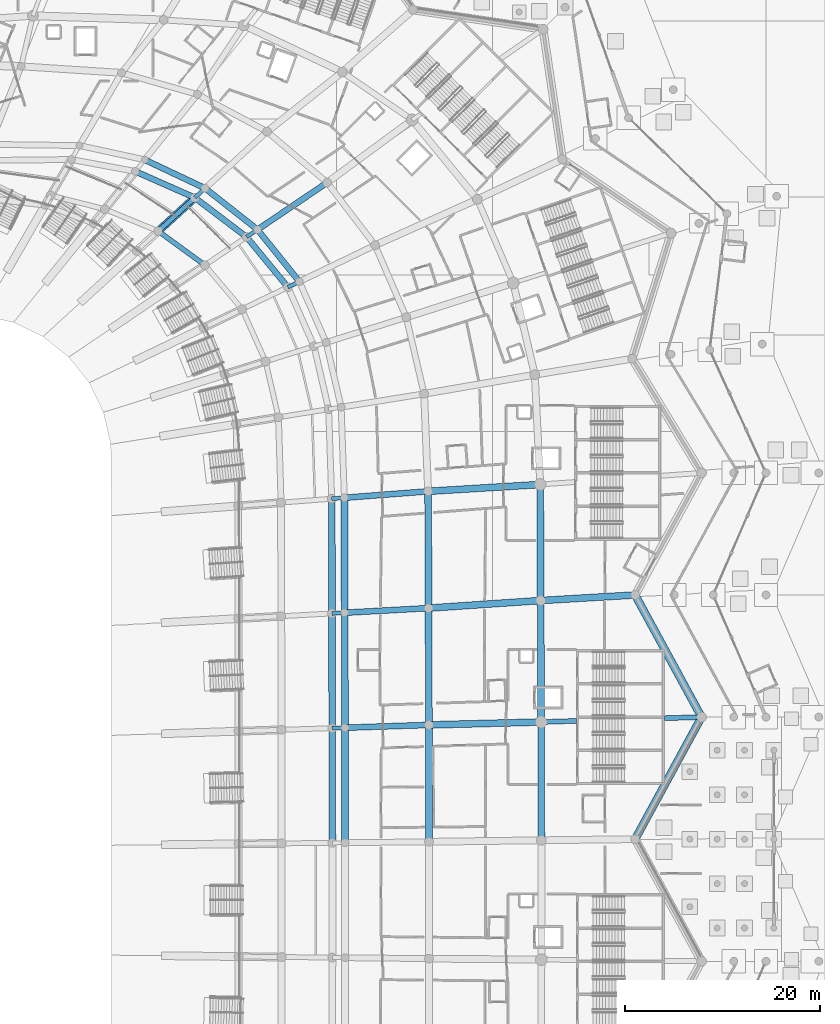
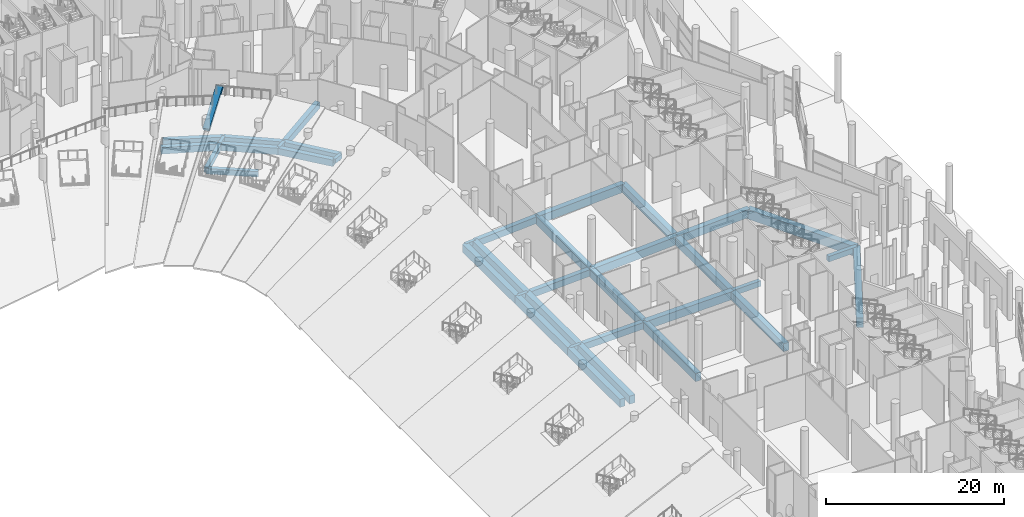
# One storey, part 57 of 255: 39 beams.
"""IFC4 building model written with IfcOpenShell, lengths in metres."""

from ifc_helpers import new_model, si_unit, direction, frame, origin, origin_2d, place, context, subcontext, project, spatial, rectangle, extrude, material, material_profile, profile_set, type_object, element, save


model = new_model("IFC4")

# Units and contexts
model_context = context("Model", 3, precision=1e-05, world=origin(), true_north=direction((0.0, 1.0)))
body_context = subcontext(model_context, "Body", "Model", "MODEL_VIEW")
ifc_project = project(units=[si_unit("LENGTHUNIT", "METRE"), si_unit("AREAUNIT", "SQUARE_METRE"), si_unit("VOLUMEUNIT", "CUBIC_METRE"), si_unit("PLANEANGLEUNIT", "RADIAN"), si_unit("MASSUNIT", "GRAM", prefix="KILO")], contexts=[model_context])

# Site, building, storey
site_placement = place(None, origin())
site = spatial("IfcSite", under=ifc_project, at=site_placement, CompositionType="ELEMENT")
building_placement = place(site_placement, origin())
building = spatial("IfcBuilding", under=site, at=building_placement, Name="Meseta Stadium", CompositionType="ELEMENT")
storey_placement = place(building_placement, origin())
storey = spatial("IfcBuildingStorey", under=building, at=storey_placement, Name="L00", CompositionType="ELEMENT", Elevation=0.0)

# Beams
ifc_material_1 = material(Name="Concrete C40/50", Category="concrete")
ifc_material_profile_1 = material_profile(ifc_material_1, rectangle(XDim=0.39990234375, YDim=0.60009765625, at=origin_2d()), Name="RC 400x600")
ifc_profile_set_1 = profile_set([ifc_material_profile_1], Name="Concrete C40/50")
beam_type_1 = type_object("IfcBeamType", Name="RC beam 400x600", PredefinedType="BEAM", material=ifc_profile_set_1)
for number, where, z_axis, x_axis, name in (
    (1, (63.587890625, 17.617919921875, -0.699951171875), (0.99945362659, 0.033052205614, 0.0), (-0.033052205614, 0.99945362659, 0.0), "L00 radial beam frame 6 line C to D"),
    (2, (63.566162109375, 29.3623046875, -0.699951171875), (0.998505663725, 0.054648325775, 0.0), (-0.054648325775, 0.998505663725, 0.0), "L00 radial beam frame 7 line C to D"),
    (3, (63.53369140625, 41.1044921875, -0.699951171875), (0.99706000661, 0.076624690657, 0.0), (-0.076624690657, 0.99706000661, 0.0), "L00 radial beam frame 8 line C to D"),
):
    element("IfcBeam", number, at=place(storey_placement, frame(where, z_axis=z_axis, x_axis=x_axis)), inside=storey, type_object=beam_type_1, Name=name, PredefinedType="BEAM", context=body_context, shape_type="SweptSolid", body=[
        extrude(rectangle(XDim=0.39990234375, YDim=0.60009765625, at=origin_2d()), origin(), (0.0, 0.0, 1.0), 1.300048828125),
    ])
beam_1_placement = place(storey_placement, frame((59.049072265625, 62.766357421875, -0.699951171875), z_axis=(0.901186215953, 0.433432121762, 0.0), x_axis=(-0.433432121762, 0.901186215953, 0.0)))
element("IfcBeam", 4, at=beam_1_placement, inside=storey, type_object=beam_type_1, Name="L00 radial beam frame 11 line C to D", PredefinedType="BEAM", context=body_context, shape_type="SweptSolid", body=[
    extrude(rectangle(XDim=0.39990234375, YDim=0.60009765625, at=origin_2d()), origin(), (0.0, 0.0, 1.0), 1.3017578125),
])
beam_2_placement = place(storey_placement, frame((54.819580078125, 67.901611328125, -0.699951171875), z_axis=(0.828785870945, 0.559565885416, 0.0), x_axis=(-0.559565885416, 0.828785870945, 0.0)))
element("IfcBeam", 5, at=beam_2_placement, inside=storey, type_object=beam_type_1, Name="L00 radial beam frame 12 line C to D", PredefinedType="BEAM", context=body_context, shape_type="SweptSolid", body=[
    extrude(rectangle(XDim=0.39990234375, YDim=0.60009765625, at=origin_2d()), origin(), (0.0, 0.0, 1.0), 1.35205078125),
])
beam_3_placement = place(storey_placement, frame((49.518310546875, 71.924560546875, -0.699951171875), z_axis=(0.737537238319, 0.675306465313, 0.0), x_axis=(-0.675306465313, 0.737537238319, 0.0)))
element("IfcBeam", 6, at=beam_3_placement, inside=storey, type_object=beam_type_1, Name="L00 radial beam frame 13 line C to D", PredefinedType="BEAM", context=body_context, shape_type="SweptSolid", body=[
    extrude(rectangle(XDim=0.39990234375, YDim=0.60009765625, at=origin_2d()), origin(), (0.0, 0.0, 1.0), 1.427978515625),
])
ifc_material_2 = material(Name="Concrete C40/50", Category="concrete")
ifc_material_profile_2 = material_profile(ifc_material_2, rectangle(XDim=0.5, YDim=0.75, at=origin_2d()), Name="RC 500x750")
ifc_profile_set_2 = profile_set([ifc_material_profile_2], Name="Concrete C40/50")
beam_type_2 = type_object("IfcBeamType", Name="RC beam 500x750", PredefinedType="BEAM", material=ifc_profile_set_2)
beam_4_placement = place(storey_placement, frame((50.552978515625, 65.021240234375, -0.77490234375), z_axis=(-0.808321333324, 0.58874155798, 0.0), x_axis=(-0.58874155798, -0.808321333324, 0.0)))
element("IfcBeam", 7, at=beam_4_placement, inside=storey, type_object=beam_type_2, Name="L00 ring beam frame 12 line U", PredefinedType="BEAM", context=body_context, shape_type="SweptSolid", body=[
    extrude(rectangle(XDim=0.5, YDim=0.75, at=origin_2d()), origin(), (0.0, 0.0, 1.0), 5.908447265625),
])
beam_5_placement = place(storey_placement, frame((84.978515625, 18.24365234375, -0.77490234375), z_axis=(0.999525783299, 0.030792994672, 0.0), x_axis=(-0.030792994672, 0.999525783299, 0.0)))
element("IfcBeam", 8, at=beam_5_placement, inside=storey, type_object=beam_type_2, Name="L00 radial beam frame 6 line P to R", PredefinedType="BEAM", context=body_context, shape_type="SweptSolid", body=[
    extrude(rectangle(XDim=0.5, YDim=0.75, at=origin_2d()), origin(), (0.0, 0.0, 1.0), 3.623291015625),
])
beam_6_placement = place(storey_placement, frame((97.60009765625, 18.6328125, -0.77490234375), z_axis=(0.99952477381, 0.030825744759, 0.0), x_axis=(-0.030825744759, 0.99952477381, 0.0)))
element("IfcBeam", 9, at=beam_6_placement, inside=storey, type_object=beam_type_2, Name="L00 radial beam frame 6 line P to R", PredefinedType="BEAM", context=body_context, shape_type="SweptSolid", body=[
    extrude(rectangle(XDim=0.5, YDim=0.75, at=origin_2d()), origin(), (0.0, 0.0, 1.0), 3.801513671875),
])
beam_7_placement = place(storey_placement, frame((45.777099609375, 68.499755859375, -0.77490234375), z_axis=(0.737609522661, 0.675227511347, 0.0), x_axis=(-0.675227511347, 0.737609522661, 0.0)))
element("IfcBeam", 10, at=beam_7_placement, inside=storey, type_object=beam_type_2, Name="L00 radial beam frame 13 line U to C", PredefinedType="BEAM", context=body_context, shape_type="SweptSolid", body=[
    extrude(rectangle(XDim=0.5, YDim=0.75, at=origin_2d()), origin(), (0.0, 0.0, 1.0), 5.072021484375),
])
ifc_material_3 = material(Name="Concrete C40/50", Category="concrete")
ifc_material_profile_3 = material_profile(ifc_material_3, rectangle(XDim=0.60009765625, YDim=0.89990234375, at=origin_2d()), Name="RC 600x900")
ifc_profile_set_3 = profile_set([ifc_material_profile_3], Name="Concrete C40/50")
beam_type_3 = type_object("IfcBeamType", Name="RC beam 600x900", PredefinedType="BEAM", material=ifc_profile_set_3)
beam_8_placement = place(storey_placement, frame((59.049072265625, 62.766357421875, -0.85009765625), z_axis=(-0.635748413749, 0.771896336573, 0.0), x_axis=(-0.771896336573, -0.635748413749, 0.0)))
element("IfcBeam", 11, at=beam_8_placement, inside=storey, type_object=beam_type_3, Name="L00 ring beam frame 11 line C", PredefinedType="BEAM", context=body_context, shape_type="SweptSolid", body=[
    extrude(rectangle(XDim=0.60009765625, YDim=0.89990234375, at=origin_2d()), origin(), (0.0, 0.0, 1.0), 6.65283203125),
])
beam_9_placement = place(storey_placement, frame((60.22216796875, 63.33056640625, -0.85009765625), z_axis=(-0.626466293445, 0.779448512204, 0.0), x_axis=(-0.779448512204, -0.626466293445, 0.0)))
element("IfcBeam", 12, at=beam_9_placement, inside=storey, type_object=beam_type_3, Name="L00 ring beam frame 11 line D", PredefinedType="BEAM", context=body_context, shape_type="SweptSolid", body=[
    extrude(rectangle(XDim=0.60009765625, YDim=0.89990234375, at=origin_2d()), origin(), (0.0, 0.0, 1.0), 6.835205078125),
])
beam_10_placement = place(storey_placement, frame((54.819580078125, 67.901611328125, -0.85009765625), z_axis=(-0.796597456173, 0.604510126316, 0.0), x_axis=(-0.604510126316, -0.796597456173, 0.0)))
element("IfcBeam", 13, at=beam_10_placement, inside=storey, type_object=beam_type_3, Name="L00 ring beam frame 12 line C", PredefinedType="BEAM", context=body_context, shape_type="SweptSolid", body=[
    extrude(rectangle(XDim=0.60009765625, YDim=0.89990234375, at=origin_2d()), origin(), (0.0, 0.0, 1.0), 6.65478515625),
])
beam_11_placement = place(storey_placement, frame((55.940185546875, 68.658203125, -0.85009765625), z_axis=(-0.785430108596, 0.618950357065, 0.0), x_axis=(-0.618950357065, -0.785430108596, 0.0)))
element("IfcBeam", 14, at=beam_11_placement, inside=storey, type_object=beam_type_3, Name="L00 ring beam frame 12 line D", PredefinedType="BEAM", context=body_context, shape_type="SweptSolid", body=[
    extrude(rectangle(XDim=0.60009765625, YDim=0.89990234375, at=origin_2d()), origin(), (0.0, 0.0, 1.0), 6.835205078125),
])
beam_12_placement = place(storey_placement, frame((49.518310546875, 71.924560546875, -0.85009765625), z_axis=(-0.914526988421, 0.404524891013, 0.0), x_axis=(-0.404524891013, -0.914526988421, 0.0)))
element("IfcBeam", 15, at=beam_12_placement, inside=storey, type_object=beam_type_3, Name="L00 ring beam frame 13 line C", PredefinedType="BEAM", context=body_context, shape_type="SweptSolid", body=[
    extrude(rectangle(XDim=0.60009765625, YDim=0.89990234375, at=origin_2d()), origin(), (0.0, 0.0, 1.0), 6.656982421875),
])
beam_13_placement = place(storey_placement, frame((50.571533203125, 72.888916015625, -0.85009765625), z_axis=(-0.904340564666, 0.426811601412, 0.0), x_axis=(-0.426811601412, -0.904340564666, 0.0)))
element("IfcBeam", 16, at=beam_13_placement, inside=storey, type_object=beam_type_3, Name="L00 ring beam frame 13 line D", PredefinedType="BEAM", context=body_context, shape_type="SweptSolid", body=[
    extrude(rectangle(XDim=0.60009765625, YDim=0.89990234375, at=origin_2d()), origin(), (0.0, 0.0, 1.0), 6.83544921875),
])
beam_14_placement = place(storey_placement, frame((64.88720703125, 17.660888671875, -0.85009765625), z_axis=(0.999459492737, 0.032874342231, 0.0), x_axis=(-0.032874342231, 0.999459492737, 0.0)))
element("IfcBeam", 17, at=beam_14_placement, inside=storey, type_object=beam_type_3, Name="L00 radial beam frame 6 line D to E", PredefinedType="BEAM", context=body_context, shape_type="SweptSolid", body=[
    extrude(rectangle(XDim=0.60009765625, YDim=0.89990234375, at=origin_2d()), origin(), (0.0, 0.0, 1.0), 8.599853515625),
])
for number, where, z_axis, x_axis, name in (
    (18, (64.8642578125, 29.433349609375, -0.85009765625), (0.998501047384, 0.054732607948, 0.0), (-0.054732607948, 0.998501047384, 0.0), "L00 radial beam frame 7 line D to E"),
    (19, (64.829833984375, 41.2041015625, -0.85009765625), (0.997066996267, 0.076533685105, 0.0), (-0.076533685105, 0.997066996267, 0.0), "L00 radial beam frame 8 line D to E"),
    (20, (55.940185546875, 68.658203125, -0.85009765625), (0.828826294275, 0.559506008832, 0.0), (-0.559506008832, 0.828826294275, 0.0), "L00 radial beam frame 12 line D to E"),
):
    element("IfcBeam", number, at=place(storey_placement, frame(where, z_axis=z_axis, x_axis=x_axis)), inside=storey, type_object=beam_type_3, Name=name, PredefinedType="BEAM", context=body_context, shape_type="SweptSolid", body=[
        extrude(rectangle(XDim=0.60009765625, YDim=0.89990234375, at=origin_2d()), origin(), (0.0, 0.0, 1.0), 8.60009765625),
    ])
ifc_material_4 = material(Name="Concrete C40/50", Category="concrete")
ifc_material_profile_4 = material_profile(ifc_material_4, rectangle(XDim=0.699951171875, YDim=1.10009765625, at=origin_2d()), Name="RC 700x1100")
ifc_profile_set_4 = profile_set([ifc_material_profile_4], Name="Concrete C40/50")
beam_type_4 = type_object("IfcBeamType", Name="RC beam 700x1100", PredefinedType="BEAM", material=ifc_profile_set_4)
beam_15_placement = place(storey_placement, frame((63.5986328125, 5.872802734375, -0.949951171875), z_axis=(-0.000914608414, 0.999999581746, 0.0), x_axis=(-0.999999581746, -0.000914608414, 0.0)))
element("IfcBeam", 21, at=beam_15_placement, inside=storey, type_object=beam_type_4, Name="L00 ring beam frame 5 line C", PredefinedType="BEAM", context=body_context, shape_type="SweptSolid", body=[
    extrude(rectangle(XDim=0.699951171875, YDim=1.10009765625, at=origin_2d()), origin(), (0.0, 0.0, 1.0), 11.7451171875),
])
beam_16_placement = place(storey_placement, frame((64.898681640625, 5.886962890625, -0.949951171875), z_axis=(-0.000974577566, 0.999999525099, 0.0), x_axis=(-0.999999525099, -0.000974577566, 0.0)))
element("IfcBeam", 22, at=beam_16_placement, inside=storey, type_object=beam_type_4, Name="L00 ring beam frame 5 line D", PredefinedType="BEAM", context=body_context, shape_type="SweptSolid", body=[
    extrude(rectangle(XDim=0.699951171875, YDim=1.10009765625, at=origin_2d()), origin(), (0.0, 0.0, 1.0), 11.77392578125),
])
beam_17_placement = place(storey_placement, frame((73.498046875, 5.981201171875, -0.949951171875), z_axis=(-0.001306174648, 0.999999146954, 0.0), x_axis=(-0.999999146954, -0.001306174648, 0.0)))
element("IfcBeam", 23, at=beam_17_placement, inside=storey, type_object=beam_type_4, Name="L00 ring beam frame 5 line E", PredefinedType="BEAM", context=body_context, shape_type="SweptSolid", body=[
    extrude(rectangle(XDim=0.699951171875, YDim=1.10009765625, at=origin_2d()), origin(), (0.0, 0.0, 1.0), 11.96240234375),
])
beam_18_placement = place(storey_placement, frame((84.9970703125, 6.13720703125, -0.949951171875), z_axis=(-0.001532627062, 0.999998825526, 0.0), x_axis=(-0.999998825526, -0.001532627062, 0.0)))
element("IfcBeam", 24, at=beam_18_placement, inside=storey, type_object=beam_type_4, Name="L00 ring beam frame 5 line P", PredefinedType="BEAM", context=body_context, shape_type="SweptSolid", body=[
    extrude(rectangle(XDim=0.699951171875, YDim=1.10009765625, at=origin_2d()), origin(), (0.0, 0.0, 1.0), 12.1064453125),
])
beam_19_placement = place(storey_placement, frame((63.587890625, 17.617919921875, -0.949951171875), z_axis=(-0.001850116364, 0.999998288533, 0.0), x_axis=(-0.999998288533, -0.001850116364, 0.0)))
element("IfcBeam", 25, at=beam_19_placement, inside=storey, type_object=beam_type_4, Name="L00 ring beam frame 6 line C", PredefinedType="BEAM", context=body_context, shape_type="SweptSolid", body=[
    extrude(rectangle(XDim=0.699951171875, YDim=1.10009765625, at=origin_2d()), origin(), (0.0, 0.0, 1.0), 11.744384765625),
])
beam_20_placement = place(storey_placement, frame((64.88720703125, 17.660888671875, -0.949951171875), z_axis=(-0.001949394886, 0.999998099928, 0.0), x_axis=(-0.999998099928, -0.001949394886, 0.0)))
element("IfcBeam", 26, at=beam_20_placement, inside=storey, type_object=beam_type_4, Name="L00 ring beam frame 6 line D", PredefinedType="BEAM", context=body_context, shape_type="SweptSolid", body=[
    extrude(rectangle(XDim=0.699951171875, YDim=1.10009765625, at=origin_2d()), origin(), (0.0, 0.0, 1.0), 11.7724609375),
])
beam_21_placement = place(storey_placement, frame((73.482421875, 17.943603515625, -0.949951171875), z_axis=(-0.002592357078, 0.999996639837, 0.0), x_axis=(-0.999996639837, -0.002592357078, 0.0)))
element("IfcBeam", 27, at=beam_21_placement, inside=storey, type_object=beam_type_4, Name="L00 ring beam frame 6 line E", PredefinedType="BEAM", context=body_context, shape_type="SweptSolid", body=[
    extrude(rectangle(XDim=0.699951171875, YDim=1.10009765625, at=origin_2d()), origin(), (0.0, 0.0, 1.0), 11.96044921875),
])
beam_22_placement = place(storey_placement, frame((84.978515625, 18.24365234375, -0.949951171875), z_axis=(-0.004279001378, 0.999990845032, 0.0), x_axis=(-0.999990845032, -0.004279001378, 0.0)))
element("IfcBeam", 28, at=beam_22_placement, inside=storey, type_object=beam_type_4, Name="L00 ring beam frame 6 line P", PredefinedType="BEAM", context=body_context, shape_type="SweptSolid", body=[
    extrude(rectangle(XDim=0.699951171875, YDim=1.10009765625, at=origin_2d()), origin(), (0.0, 0.0, 1.0), 12.43798828125),
])
beam_23_placement = place(storey_placement, frame((63.566162109375, 29.3623046875, -0.949951171875), z_axis=(-0.002765292155, 0.999996176572, 0.0), x_axis=(-0.999996176572, -0.002765292155, 0.0)))
element("IfcBeam", 29, at=beam_23_placement, inside=storey, type_object=beam_type_4, Name="L00 ring beam frame 7 line C", PredefinedType="BEAM", context=body_context, shape_type="SweptSolid", body=[
    extrude(rectangle(XDim=0.699951171875, YDim=1.10009765625, at=origin_2d()), origin(), (0.0, 0.0, 1.0), 11.7421875),
])
beam_24_placement = place(storey_placement, frame((64.8642578125, 29.433349609375, -0.949951171875), z_axis=(-0.002924509925, 0.999995723612, 0.0), x_axis=(-0.999995723612, -0.002924509925, 0.0)))
element("IfcBeam", 30, at=beam_24_placement, inside=storey, type_object=beam_type_4, Name="L00 ring beam frame 7 line D", PredefinedType="BEAM", context=body_context, shape_type="SweptSolid", body=[
    extrude(rectangle(XDim=0.699951171875, YDim=1.10009765625, at=origin_2d()), origin(), (0.0, 0.0, 1.0), 11.770751953125),
])
beam_25_placement = place(storey_placement, frame((73.451416015625, 29.904052734375, -0.949951171875), z_axis=(-0.003899441576, 0.999992397149, 0.0), x_axis=(-0.999992397149, -0.003899441576, 0.0)))
element("IfcBeam", 31, at=beam_25_placement, inside=storey, type_object=beam_type_4, Name="L00 ring beam frame 7 line E", PredefinedType="BEAM", context=body_context, shape_type="SweptSolid", body=[
    extrude(rectangle(XDim=0.699951171875, YDim=1.10009765625, at=origin_2d()), origin(), (0.0, 0.0, 1.0), 11.958251953125),
])
beam_26_placement = place(storey_placement, frame((84.92529296875, 30.681640625, -0.949951171875), z_axis=(-0.003473057557, 0.999993968917, 0.0), x_axis=(-0.999993968917, -0.003473057557, 0.0)))
element("IfcBeam", 32, at=beam_26_placement, inside=storey, type_object=beam_type_4, Name="L00 ring beam frame 7 line P", PredefinedType="BEAM", context=body_context, shape_type="SweptSolid", body=[
    extrude(rectangle(XDim=0.699951171875, YDim=1.10009765625, at=origin_2d()), origin(), (0.0, 0.0, 1.0), 11.8798828125),
])
beam_27_placement = place(storey_placement, frame((73.482421875, 17.943603515625, -0.949951171875), z_axis=(0.999659567147, 0.026091182637, 0.0), x_axis=(-0.026091182637, 0.999659567147, 0.0)))
element("IfcBeam", 33, at=beam_27_placement, inside=storey, type_object=beam_type_4, Name="L00 radial beam frame 6 line E to P", PredefinedType="BEAM", context=body_context, shape_type="SweptSolid", body=[
    extrude(rectangle(XDim=0.699951171875, YDim=1.10009765625, at=origin_2d()), origin(), (0.0, 0.0, 1.0), 11.5),
])
beam_28_placement = place(storey_placement, frame((73.451416015625, 29.904052734375, -0.949951171875), z_axis=(0.997711474421, 0.067615189183, 0.0), x_axis=(-0.067615189183, 0.997711474421, 0.0)))
element("IfcBeam", 34, at=beam_28_placement, inside=storey, type_object=beam_type_4, Name="L00 radial beam frame 7 line E to P", PredefinedType="BEAM", context=body_context, shape_type="SweptSolid", body=[
    extrude(rectangle(XDim=0.699951171875, YDim=1.10009765625, at=origin_2d()), origin(), (0.0, 0.0, 1.0), 11.500244140625),
])
beam_29_placement = place(storey_placement, frame((84.92529296875, 30.681640625, -0.949951171875), z_axis=(0.998278887273, 0.058645231896, 0.0), x_axis=(-0.058645231896, 0.998278887273, 0.0)))
element("IfcBeam", 35, at=beam_29_placement, inside=storey, type_object=beam_type_4, Name="L00 radial beam frame 7 line P to R", PredefinedType="BEAM", context=body_context, shape_type="SweptSolid", body=[
    extrude(rectangle(XDim=0.699951171875, YDim=1.10009765625, at=origin_2d()), origin(), (0.0, 0.0, 1.0), 9.69140625),
])
beam_30_placement = place(storey_placement, frame((73.40478515625, 41.8623046875, -0.949951171875), z_axis=(0.998150037989, 0.060798862349, 0.0), x_axis=(-0.060798862349, 0.998150037989, 0.0)))
element("IfcBeam", 36, at=beam_30_placement, inside=storey, type_object=beam_type_4, Name="L00 radial beam frame 8 line E to P", PredefinedType="BEAM", context=body_context, shape_type="SweptSolid", body=[
    extrude(rectangle(XDim=0.699951171875, YDim=1.10009765625, at=origin_2d()), origin(), (0.0, 0.0, 1.0), 11.50048828125),
])
ifc_material_5 = material(Name="Concrete C40/50", Category="concrete")
ifc_material_profile_5 = material_profile(ifc_material_5, rectangle(XDim=0.800048828125, YDim=1.300048828125, at=origin_2d()), Name="RC 800x1300")
ifc_profile_set_5 = profile_set([ifc_material_profile_5], Name="Concrete C40/50")
beam_type_5 = type_object("IfcBeamType", Name="RC beam 800x1300", PredefinedType="BEAM", material=ifc_profile_set_5)
for number, where, z_axis, x_axis, name in (
    (37, (94.60009765625, 6.25, -1.050048828125), (0.47785649891, 0.878437912689, 0.0), (-0.878437912689, 0.47785649891, 0.0), "L00 ring beam frame 5 line R"),
    (38, (101.39990234375, 18.75, -1.050048828125), (-0.47785649891, 0.878437912689, 0.0), (-0.878437912689, -0.47785649891, 0.0), "L00 ring beam frame 6 line R"),
):
    element("IfcBeam", number, at=place(storey_placement, frame(where, z_axis=z_axis, x_axis=x_axis)), inside=storey, type_object=beam_type_5, Name=name, PredefinedType="BEAM", context=body_context, shape_type="SweptSolid", body=[
        extrude(rectangle(XDim=0.800048828125, YDim=1.300048828125, at=origin_2d()), origin(), (0.0, 0.0, 1.0), 14.229736328125),
    ])
ifc_material_6 = material(Name="Concrete C40/50", Category="concrete")
ifc_material_profile_6 = material_profile(ifc_material_6, rectangle(XDim=0.800048828125, YDim=0.449951171875, at=origin_2d()), Name="RC 800x450")
ifc_profile_set_6 = profile_set([ifc_material_profile_6], Name="Concrete C40/50")
beam_type_6 = type_object("IfcBeamType", Name="RC raker lower 800x450", PredefinedType="USERDEFINED", material=ifc_profile_set_6)
beam_31_placement = place(storey_placement, frame((45.777099609375, 68.499755859375, 4.748046875), z_axis=(0.657451593534, 0.601848796274, 0.453360153281), x_axis=(-0.675227511347, 0.737609522661, 0.0)))
element("IfcBeam", 39, at=beam_31_placement, inside=storey, type_object=beam_type_6, Name="Raker lower frame 13 lower tier", ObjectType="RAKER", PredefinedType="USERDEFINED", context=body_context, shape_type="SweptSolid", body=[
    extrude(rectangle(XDim=0.800048828125, YDim=0.449951171875, at=origin_2d()), origin(), (0.0, 0.0, 1.0), 5.6904296875),
])

save(model, "model.ifc")
